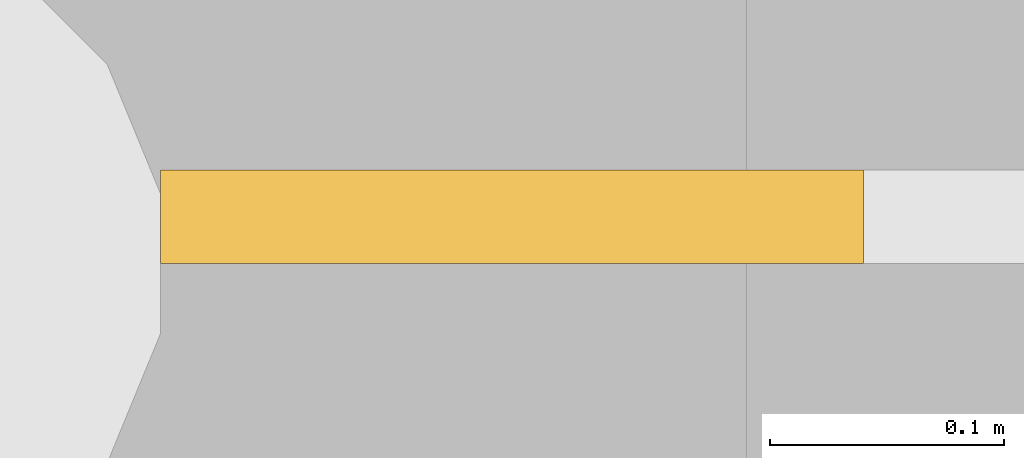
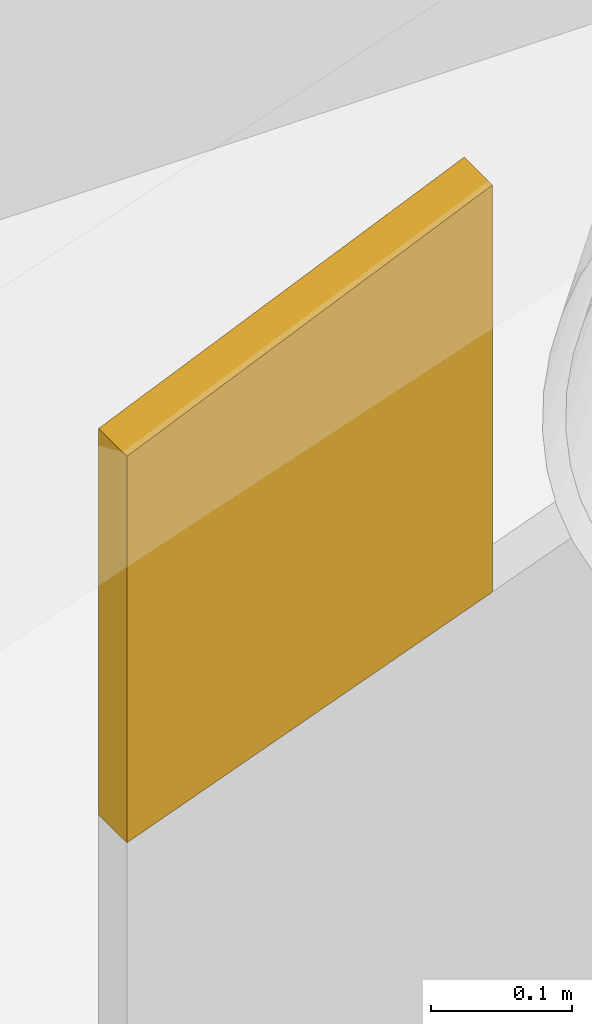
# One storey, part 434 of 437: 1 covering.
"""IFC4 building model written with IfcOpenShell, lengths in metres."""

from ifc_helpers import new_model, si_unit, direction, frame, origin, place, context, subcontext, project, spatial, polyline, outline, extrude, material, layer, layer_set, type_object, element, save


model = new_model("IFC4")

# Units and contexts
model_context = context("Model", 3, precision=1e-05, world=origin(), true_north=direction((0.0, 1.0)))
body_context = subcontext(model_context, "Body", "Model", "MODEL_VIEW")
ifc_project = project(units=[si_unit("LENGTHUNIT", "METRE"), si_unit("AREAUNIT", "SQUARE_METRE"), si_unit("VOLUMEUNIT", "CUBIC_METRE"), si_unit("PLANEANGLEUNIT", "RADIAN"), si_unit("MASSUNIT", "GRAM", prefix="KILO")], contexts=[model_context])

# Site, building, storey
site_placement = place(None, origin())
site = spatial("IfcSite", under=ifc_project, at=site_placement, CompositionType="ELEMENT")
building_placement = place(site_placement, origin())
building = spatial("IfcBuilding", under=site, at=building_placement, Name="Opaline Strait Convention Centre", CompositionType="ELEMENT")
storey_placement = place(building_placement, frame((0.0, 0.0, 11.5)))
storey = spatial("IfcBuildingStorey", under=building, at=storey_placement, Name="L02", CompositionType="ELEMENT", Elevation=11.5)

# Covering
ifc_material = material(Name="Aluminium composite cladding panel, white", Category="aluminium")
ifc_layer = layer(ifc_material, 0.0400390625)
ifc_layer_set = layer_set([ifc_layer], Name="Aluminium composite cladding panel, white")
covering_type = type_object("IfcCoveringType", Name="Shell edge frieze panel 40", PredefinedType="CLADDING", material=ifc_layer_set)
covering_placement = place(storey_placement, frame((9.14990234375, 117.0, 13.774169921875), z_axis=(0.0, -1.0, 0.0), x_axis=(0.936297865471, 0.0, 0.351206929196)))
element("IfcCovering", 1, at=covering_placement, inside=storey, type_object=covering_type, Name="PFR1 frieze closure S 11", PredefinedType="CLADDING", context=body_context, shape_type="SweptSolid", body=[
    extrude(outline(polyline([(0.0, 0.0), (0.32046300562076835, 0.0), (0.4445343988206353, 0.3307673367519228), (0.11781209001839468, 0.31408038748938627), (0.0, 0.0)])), origin(), (0.0, 0.0, -1.0), 0.0400390625),
])

save(model, "model.ifc")
